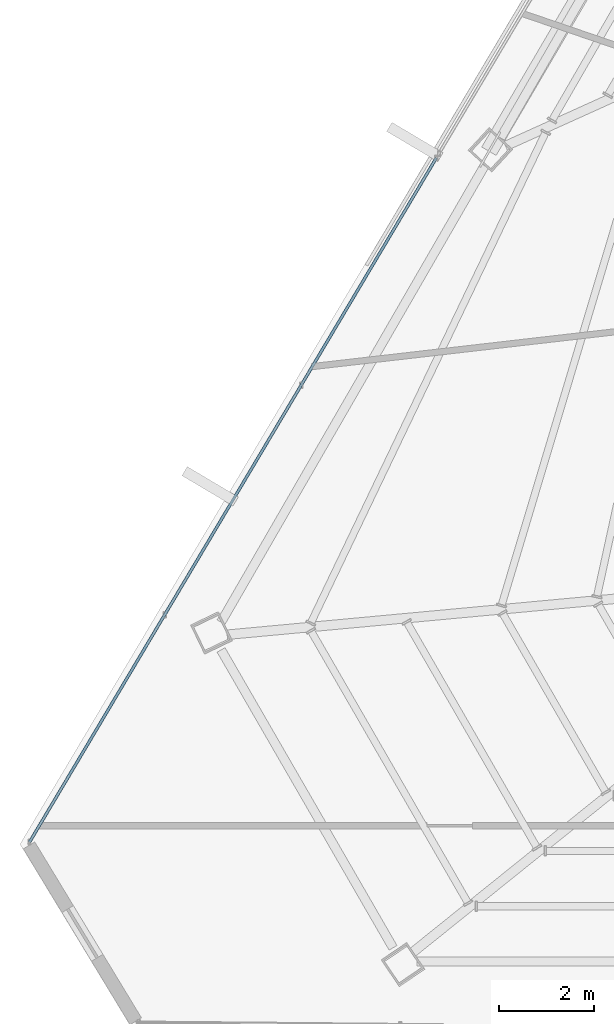
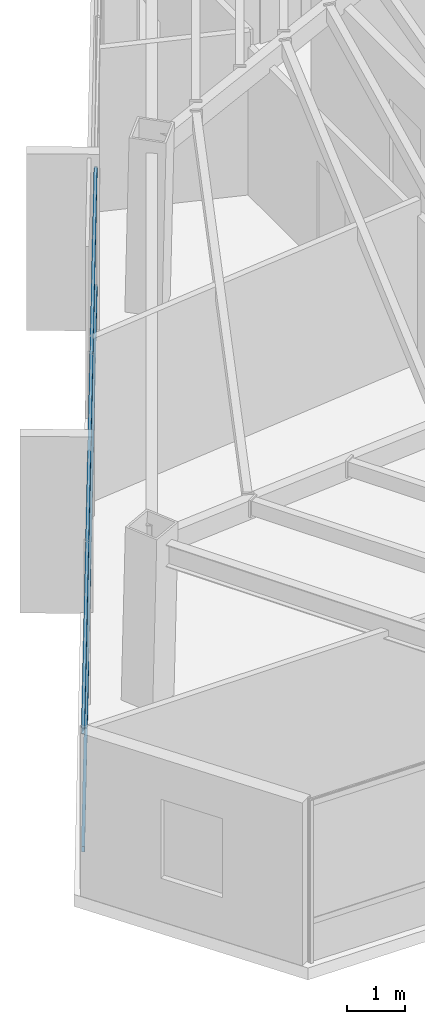
# One storey, part 8 of 47: 2 members, 1 element without a shape of its own.
"""IFC4 building model written with IfcOpenShell, lengths in metres."""

import ifcopenshell
import ifcopenshell.guid

model = None  # the IFC model being written
_history = None  # IfcOwnerHistory: only IFC2X3 demands one
_inside = {}  # id of a spatial element -> (the spatial element, [elements in it])
_under = {}  # id of a project, library or spatial element -> (it, [spatial elements below it])
_declared = {}  # id of a project -> (the project, [libraries it declares])
_typed = {}  # id of a type object -> (the type object, [elements of that type])
_made_of = {}  # id of a material, layer set ... -> (it, [elements and type objects made of it])


def new_model(schema):
    """Start an empty IFC model of exactly this schema.

    Asked for "IFC4X3", IfcOpenShell would pick the latest addendum, in which some entities
    have other attributes; the version numbers below select the first issue.
    IFC2X3 requires an IfcOwnerHistory on every rooted entity: one is made here for all.
    """
    global model, _history
    if schema == "IFC4X3":
        model = ifcopenshell.file(schema_version=(4, 3, 0, 0))
    else:
        model = ifcopenshell.file(schema=schema)
    _inside.clear()
    _under.clear()
    _declared.clear()
    _typed.clear()
    _made_of.clear()
    _history = None
    if model.schema == "IFC2X3":
        org = make("IfcOrganization", Name="unknown")
        user = make(
            "IfcPersonAndOrganization",
            ThePerson=make("IfcPerson", FamilyName="unknown"),
            TheOrganization=org,
        )
        app = make(
            "IfcApplication",
            ApplicationDeveloper=org,
            Version="unknown",
            ApplicationFullName="unknown",
            ApplicationIdentifier="unknown",
        )
        _history = make(
            "IfcOwnerHistory",
            OwningUser=user,
            OwningApplication=app,
            ChangeAction="ADDED",
            CreationDate=0,
        )
    return model


def make(cls, **values):
    """One entity of the class cls with the attributes given. An attribute that is None is left unset."""
    return model.create_entity(
        cls, **{name: value for name, value in values.items() if value is not None}
    )


def rooted(cls, **values):
    """An entity with a GlobalId (a new one), such as an element, a storey or a relation."""
    return make(cls, GlobalId=ifcopenshell.guid.new(), OwnerHistory=_history, **values)


def si_unit(unit_type, name, prefix=None):
    """IfcSIUnit, for example si_unit("LENGTHUNIT", "METRE", prefix="MILLI")."""
    return make("IfcSIUnit", UnitType=unit_type, Prefix=prefix, Name=name)


def assignment(units):
    """IfcUnitAssignment: the units of a project."""
    return None if units is None else make("IfcUnitAssignment", Units=units)


def point(xyz):
    """IfcCartesianPoint."""
    return None if xyz is None else make("IfcCartesianPoint", Coordinates=xyz)


def direction(xyz):
    """IfcDirection."""
    return None if xyz is None else make("IfcDirection", DirectionRatios=xyz)


def frame(location, z_axis=None, x_axis=None):
    """IfcAxis2Placement3D, a coordinate frame: its origin and axes. An axis left out is left unset."""
    return make(
        "IfcAxis2Placement3D",
        Location=point(location),
        Axis=direction(z_axis),
        RefDirection=direction(x_axis),
    )


def frame_2d(location, x_axis=None):
    """IfcAxis2Placement2D, a coordinate frame in the plane: its origin and x axis."""
    return make(
        "IfcAxis2Placement2D", Location=point(location), RefDirection=direction(x_axis)
    )


def origin():
    """The frame at (0, 0, 0) with its axes left unset."""
    return frame((0.0, 0.0, 0.0))


def origin_2d():
    """The frame at (0, 0) in the plane with its x axis left unset."""
    return frame_2d((0.0, 0.0))


def place(relative_to, where):
    """IfcLocalPlacement: puts the frame where relative to a parent placement (None: the world)."""
    return make(
        "IfcLocalPlacement", PlacementRelTo=relative_to, RelativePlacement=where
    )


def context(
    kind, dimensions, precision=None, world=None, true_north=None, identifier=None
):
    """IfcGeometricRepresentationContext, for example the 3D "Model" context."""
    return make(
        "IfcGeometricRepresentationContext",
        ContextIdentifier=identifier,
        ContextType=kind,
        CoordinateSpaceDimension=dimensions,
        Precision=precision,
        WorldCoordinateSystem=world,
        TrueNorth=true_north,
    )


def subcontext(parent, identifier, kind, view, scale=None):
    """IfcGeometricRepresentationSubContext, for example "Body" below "Model"."""
    return make(
        "IfcGeometricRepresentationSubContext",
        ContextIdentifier=identifier,
        ContextType=kind,
        ParentContext=parent,
        TargetScale=scale,
        TargetView=view,
    )


def project(units=None, contexts=None):
    """IfcProject with its units and contexts."""
    return rooted(
        "IfcProject",
        Name="project",
        RepresentationContexts=contexts,
        UnitsInContext=assignment(units),
    )


def spatial(cls, under=None, at=None, **own):
    """A site, building, storey or space (cls), placed at a placement, below another one or the project."""
    s = rooted(cls, ObjectPlacement=at, **own)
    if under is not None:
        _under.setdefault(under.id(), (under, []))[1].append(s)
    return s


def profile(cls, at=None, kind="AREA", **sizes):
    """A parametric profile (cls). Its sizes go by their IFC names, for example OverallWidth=200.0."""
    return make(cls, ProfileType=kind, Position=at, **sizes)


def hollow_rectangle(**sizes):
    """IfcRectangleHollowProfileDef."""
    return profile("IfcRectangleHollowProfileDef", **sizes)


def extrude(swept, where, along, depth):
    """IfcExtrudedAreaSolid: the profile swept, set in the frame where, extruded along a direction by depth."""
    return make(
        "IfcExtrudedAreaSolid",
        SweptArea=swept,
        Position=where,
        ExtrudedDirection=direction(along),
        Depth=depth,
    )


def shape(context_of_items, identifier, shape_type, items):
    """IfcShapeRepresentation: the items that make up one representation, for example the "Body"."""
    return make(
        "IfcShapeRepresentation",
        ContextOfItems=context_of_items,
        RepresentationIdentifier=identifier,
        RepresentationType=shape_type,
        Items=items,
    )


def source(mapping_origin, context_of_items, identifier, shape_type, items):
    """IfcRepresentationMap: a shape defined once, which mapped items show again and again."""
    return make(
        "IfcRepresentationMap",
        MappingOrigin=mapping_origin,
        MappedRepresentation=shape(context_of_items, identifier, shape_type, items),
    )


def transform(
    local_origin,
    x_axis=None,
    y_axis=None,
    z_axis=None,
    scale=None,
    scale2=None,
    scale3=None,
    uniform=True,
):
    """IfcCartesianTransformationOperator3D, or its non-uniform kind. x_axis, y_axis, z_axis: its Axis1, 2, 3."""
    if uniform:
        return make(
            "IfcCartesianTransformationOperator3D",
            Axis1=direction(x_axis),
            Axis2=direction(y_axis),
            LocalOrigin=point(local_origin),
            Scale=scale,
            Axis3=direction(z_axis),
        )
    return make(
        "IfcCartesianTransformationOperator3DnonUniform",
        Axis1=direction(x_axis),
        Axis2=direction(y_axis),
        LocalOrigin=point(local_origin),
        Scale=scale,
        Axis3=direction(z_axis),
        Scale2=scale2,
        Scale3=scale3,
    )


def mapped(mapping_source, mapping_target):
    """IfcMappedItem: shows the shape of a source again, moved by a transform."""
    return make(
        "IfcMappedItem", MappingSource=mapping_source, MappingTarget=mapping_target
    )


def material(Name=None, Category=None):
    """IfcMaterial."""
    return make("IfcMaterial", Name=Name, Category=Category)


def material_profile(
    of_material, cross_section, Name=None, Category=None, Priority=None
):
    """IfcMaterialProfile: a cross section and its material."""
    return make(
        "IfcMaterialProfile",
        Name=Name,
        Material=of_material,
        Profile=cross_section,
        Priority=Priority,
        Category=Category,
    )


def profile_set(profiles, Name=None, composite=None):
    """IfcMaterialProfileSet."""
    return make(
        "IfcMaterialProfileSet",
        Name=Name,
        MaterialProfiles=profiles,
        CompositeProfile=composite,
    )


def made_of(thing, what):
    """Note that an element or type object is made of a material, layer set ...; save() writes the relation."""
    if what is not None:
        _made_of.setdefault(what.id(), (what, []))[1].append(thing)
    return thing


def type_object(cls, material=None, **own):
    """A type object (cls), such as IfcWallType, which elements share."""
    return made_of(rooted(cls, **own), material)


def type_shapes(of_type, sources):
    """Give a type object the sources (RepresentationMaps) that its elements show as mapped items."""
    of_type.RepresentationMaps = sources


def element(
    cls,
    number,
    at=None,
    inside=None,
    cuts=None,
    type_object=None,
    material=None,
    context=None,
    identifier="Body",
    shape_type=None,
    held_by="IfcProductDefinitionShape",
    body=None,
    shapes=None,
    **own,
):
    """One element of the class cls, such as IfcWall. Its Tag is "e" and its number.

    at: its placement. inside: the storey or other place that contains it. cuts: it is an
    opening in that element (IfcRelVoidsElement). A single representation is given by context,
    identifier, shape_type and body (its items); several are given by shapes. held_by: the class
    of the entity that holds the representations. save() writes the other relations.
    """
    e = rooted(cls, Tag="e%d" % number, ObjectPlacement=at, **own)
    if body is not None:
        shapes = [shape(context, identifier, shape_type, body)]
    if shapes is not None:
        e.Representation = make(held_by, Representations=shapes)
    if inside is not None:
        _inside.setdefault(inside.id(), (inside, []))[1].append(e)
    if cuts is not None:
        rooted(
            "IfcRelVoidsElement", RelatingBuildingElement=cuts, RelatedOpeningElement=e
        )
    if type_object is not None:
        _typed.setdefault(type_object.id(), (type_object, []))[1].append(e)
    return made_of(e, material)


def aggregate(whole, parts):
    """IfcRelAggregates: a whole, such as a stair, and the parts it consists of."""
    return rooted("IfcRelAggregates", RelatingObject=whole, RelatedObjects=parts)


def save(model, path):
    """Write the relations noted so far, then the file.

    IfcRelAggregates (storeys below a building ...), IfcRelContainedInSpatialStructure (elements
    in a storey), IfcRelDefinesByType, IfcRelAssociatesMaterial and IfcRelDeclares: one each for
    every whole, place, type object, material and project.
    """
    for whole, parts in _under.values():
        aggregate(whole, parts)
    for where, things in _inside.values():
        rooted(
            "IfcRelContainedInSpatialStructure",
            RelatedElements=things,
            RelatingStructure=where,
        )
    for kind, things in _typed.values():
        rooted("IfcRelDefinesByType", RelatedObjects=things, RelatingType=kind)
    for what, things in _made_of.values():
        rooted("IfcRelAssociatesMaterial", RelatedObjects=things, RelatingMaterial=what)
    for by, libraries in _declared.values():
        rooted("IfcRelDeclares", RelatingContext=by, RelatedDefinitions=libraries)
    model.write(path)


model = new_model("IFC4")

# Units and contexts
model_context = context("Model", 3, precision=1e-05, world=origin(), true_north=direction((0.0, 1.0)))
body_context = subcontext(model_context, "Body", "Model", "MODEL_VIEW")
ifc_project = project(units=[si_unit("LENGTHUNIT", "METRE"), si_unit("AREAUNIT", "SQUARE_METRE"), si_unit("VOLUMEUNIT", "CUBIC_METRE"), si_unit("PLANEANGLEUNIT", "RADIAN"), si_unit("MASSUNIT", "GRAM", prefix="KILO")], contexts=[model_context])

# Site, building, storey
site_placement = place(None, origin())
site = spatial("IfcSite", under=ifc_project, at=site_placement, CompositionType="ELEMENT")
building_placement = place(site_placement, origin())
building = spatial("IfcBuilding", under=site, at=building_placement, Name="Caelisora Broadcast Tower", CompositionType="ELEMENT")
storey_placement = place(building_placement, frame((0.0, 0.0, 248.10009765625)))
storey = spatial("IfcBuildingStorey", under=building, at=storey_placement, Name="L65", CompositionType="ELEMENT", Elevation=248.10009765625)

# Curtain wall, members
ifc_material_1 = material(Name="Unitised Aluminium and Low-E Glass Curtain Wall", Category="glass")
curtain_wall_type = type_object("IfcCurtainWallType", Name="CW-Z5", PredefinedType="NOTDEFINED", material=ifc_material_1)
curtain_wall_placement = place(storey_placement, origin())
curtain_wall = element("IfcCurtainWall", 1, at=curtain_wall_placement, inside=storey, type_object=curtain_wall_type, Name="L65 curtain wall CW-Z5", PredefinedType="NOTDEFINED")
ifc_material_2 = material(Name="Aluminium 6063-T6 Anodised Terracotta Bronze", Category="aluminium")
ifc_material_profile = material_profile(ifc_material_2, hollow_rectangle(XDim=0.06005859375, YDim=0.1201171875, WallThickness=0.0029296875, at=origin_2d()), Name="Aluminium 6063-T6 Anodised Terracotta Bronze")
ifc_profile_set = profile_set([ifc_material_profile], Name="Aluminium 6063-T6 Anodised Terracotta Bronze")
member_type = type_object("IfcMemberType", Name="CWT-03", PredefinedType="USERDEFINED", material=ifc_profile_set)
shared_shape = source(origin(), body_context, "Body", "SweptSolid", [
    extrude(hollow_rectangle(XDim=0.06005859375, YDim=0.1201171875, WallThickness=0.0029296875, at=origin_2d()), origin(), (0.0, 0.0, 1.0), 16.75439453125),
])
type_shapes(member_type, [shared_shape])
member_1_placement = place(storey_placement, frame((12.529541015625, 11.756103515625, 0.849853515625), z_axis=(0.511078011559, 0.859534330961, 0.0), x_axis=(-0.859534330961, 0.511078011559, 0.0)))
member_1 = element("IfcMember", 2, at=member_1_placement, type_object=member_type, Name="L65-CW-B09 transom #1", ObjectType="TRANSOM", PredefinedType="USERDEFINED", context=body_context, shape_type="MappedRepresentation", body=[
    mapped(shared_shape, transform((0.0, 0.0, 0.0), scale=1.0)),
])
member_2_placement = place(storey_placement, frame((12.529541015625, 11.756103515625, 3.31982421875), z_axis=(0.511078011559, 0.859534330961, 0.0), x_axis=(-0.859534330961, 0.511078011559, 0.0)))
member_2 = element("IfcMember", 3, at=member_2_placement, type_object=member_type, Name="L65-CW-B09 transom #2", ObjectType="TRANSOM", PredefinedType="USERDEFINED", context=body_context, shape_type="MappedRepresentation", body=[
    mapped(shared_shape, transform((0.0, 0.0, 0.0), scale=1.0)),
])
aggregate(curtain_wall, [member_1, member_2])

save(model, "model.ifc")
